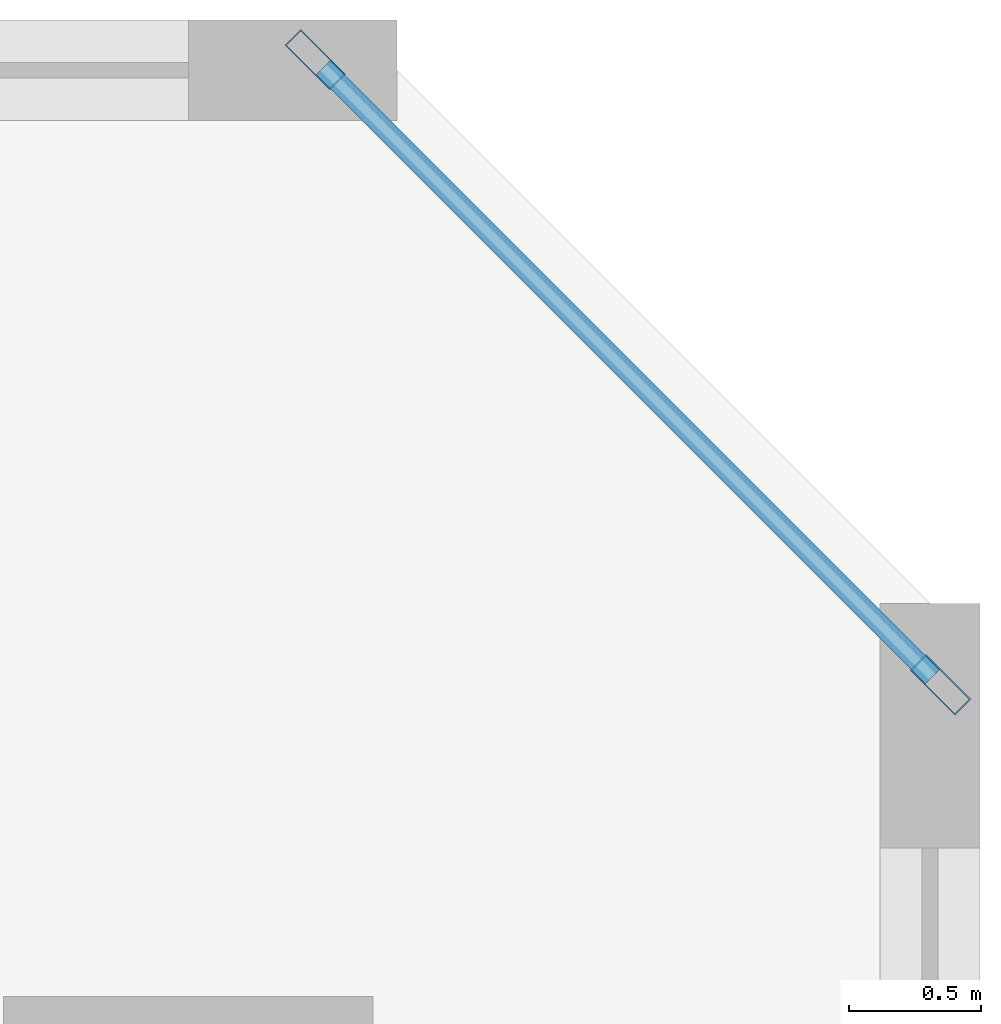
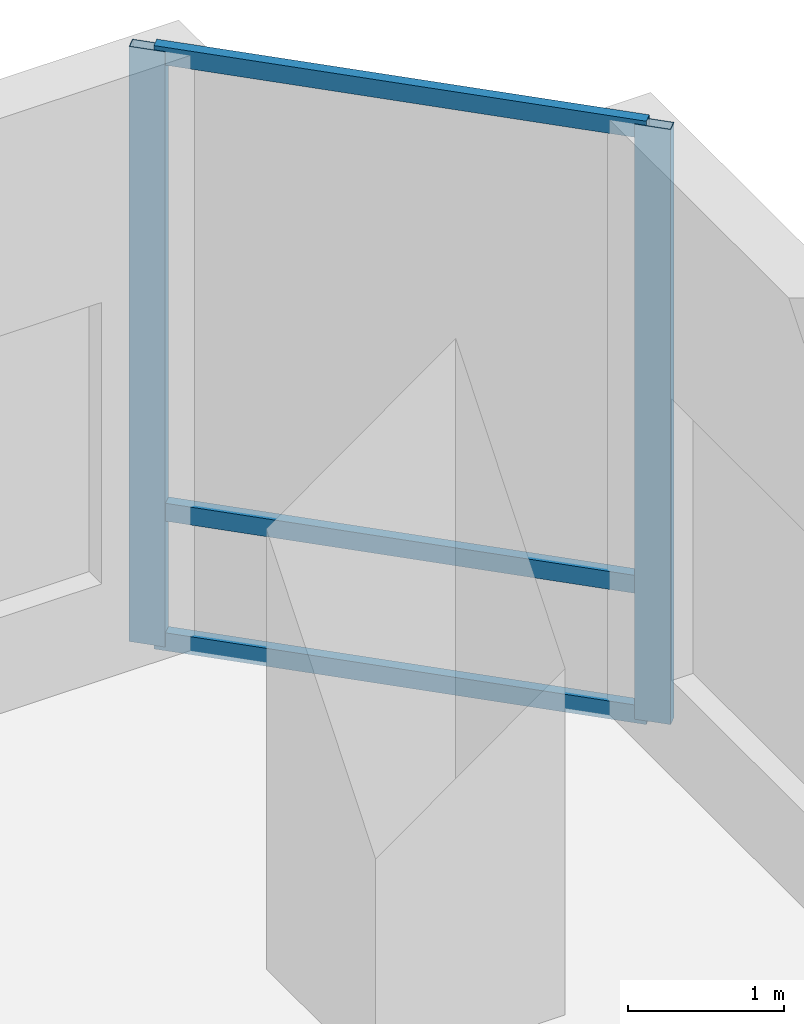
# One storey, part 8 of 19: 5 members, 1 element without a shape of its own.
"""IFC4 building model written with IfcOpenShell, lengths in metres."""

from ifc_helpers import new_model, si_unit, direction, frame, origin, origin_2d, place, context, subcontext, project, spatial, hollow_rectangle, extrude, material, layer, layer_set, material_profile, profile_set, type_object, element, aggregate, save


model = new_model("IFC4")

# Units and contexts
model_context = context("Model", 3, precision=1e-05, world=origin(), true_north=direction((0.0, 1.0)))
body_context = subcontext(model_context, "Body", "Model", "MODEL_VIEW")
ifc_project = project(units=[si_unit("LENGTHUNIT", "METRE"), si_unit("AREAUNIT", "SQUARE_METRE"), si_unit("VOLUMEUNIT", "CUBIC_METRE"), si_unit("PLANEANGLEUNIT", "RADIAN"), si_unit("MASSUNIT", "GRAM", prefix="KILO")], contexts=[model_context])

# Site, building, storey
site_placement = place(None, origin())
site = spatial("IfcSite", under=ifc_project, at=site_placement, CompositionType="ELEMENT")
building_placement = place(site_placement, origin())
building = spatial("IfcBuilding", under=site, at=building_placement, Name="Kestravale Grand Hotel", CompositionType="ELEMENT")
storey_placement = place(building_placement, frame((0.0, 0.0, 5.39990234375)))
storey = spatial("IfcBuildingStorey", under=building, at=storey_placement, Name="L01", CompositionType="ELEMENT", Elevation=5.39990234375)

# Curtain wall, members
ifc_material_1 = material(Name="Thermally broken champagne-bronze aluminium and low-E glazing", Category="aluminium")
ifc_layer = layer(ifc_material_1, 0.239990234375)
ifc_layer_set = layer_set([ifc_layer], Name="CW-POD")
curtain_wall_type = type_object("IfcCurtainWallType", Name="CW-POD", PredefinedType="NOTDEFINED", material=ifc_layer_set)
curtain_wall_placement = place(storey_placement, origin())
curtain_wall = element("IfcCurtainWall", 1, at=curtain_wall_placement, inside=storey, type_object=curtain_wall_type, Name="L01 unitised curtain wall 4", PredefinedType="NOTDEFINED")
ifc_material_2 = material(Name="Aluminium 6063-T6 anodised", Category="aluminium")
ifc_material_profile_1 = material_profile(ifc_material_2, hollow_rectangle(XDim=0.0849609375, YDim=0.239990234375, WallThickness=0.00439453125, at=origin_2d()))
ifc_profile_set_1 = profile_set([ifc_material_profile_1], Name="Aluminium 6063-T6 anodised")
member_type_1 = type_object("IfcMemberType", Name="CW-MUL-240", PredefinedType="MULLION", material=ifc_profile_set_1)
member_1_placement = place(storey_placement, frame((80.849853515625, 49.08154296875, 0.0), z_axis=(0.0, 0.0, 1.0), x_axis=(-0.707106781187, -0.707106781187, 0.0)))
member_1 = element("IfcMember", 2, at=member_1_placement, type_object=member_type_1, Name="CW-POD mullion 1", PredefinedType="MULLION", context=body_context, shape_type="SweptSolid", body=[
    extrude(hollow_rectangle(XDim=0.0849609375, YDim=0.239990234375, WallThickness=0.00439453125, at=origin_2d()), origin(), (0.0, 0.0, 1.0), 4.650146484375),
])
member_2_placement = place(storey_placement, frame((78.4814453125, 51.44970703125, 0.0), z_axis=(0.0, 0.0, 1.0), x_axis=(-0.707106781187, -0.707106781187, 0.0)))
member_2 = element("IfcMember", 3, at=member_2_placement, type_object=member_type_1, Name="CW-POD mullion 2", PredefinedType="MULLION", context=body_context, shape_type="SweptSolid", body=[
    extrude(hollow_rectangle(XDim=0.0849609375, YDim=0.239990234375, WallThickness=0.00439453125, at=origin_2d()), origin(), (0.0, 0.0, 1.0), 4.650146484375),
])
ifc_material_3 = material(Name="Aluminium 6063-T6 anodised", Category="aluminium")
ifc_material_profile_2 = material_profile(ifc_material_3, hollow_rectangle(XDim=0.074951171875, YDim=0.139892578125, WallThickness=0.00341796875, at=origin_2d()))
ifc_profile_set_2 = profile_set([ifc_material_profile_2], Name="Aluminium 6063-T6 anodised")
member_type_2 = type_object("IfcMemberType", Name="CW-TRN-140", PredefinedType="USERDEFINED", material=ifc_profile_set_2)
member_3_placement = place(storey_placement, frame((80.819580078125, 49.111572265625, 0.03759765625), z_axis=(-0.707069380992, 0.707144179403, 0.0), x_axis=(-0.707144179403, -0.707069380992, 0.0)))
member_3 = element("IfcMember", 4, at=member_3_placement, type_object=member_type_2, Name="CW-POD transom 1.1", ObjectType="TRANSOM", PredefinedType="USERDEFINED", context=body_context, shape_type="SweptSolid", body=[
    extrude(hollow_rectangle(XDim=0.074951171875, YDim=0.139892578125, WallThickness=0.00341796875, at=origin_2d()), origin(), (0.0, 0.0, 1.0), 3.263916015625),
])
member_4_placement = place(storey_placement, frame((80.819580078125, 49.111572265625, 1.050048828125), z_axis=(-0.707069380992, 0.707144179403, 0.0), x_axis=(-0.707144179403, -0.707069380992, 0.0)))
member_4 = element("IfcMember", 5, at=member_4_placement, type_object=member_type_2, Name="CW-POD transom 1.2", ObjectType="TRANSOM", PredefinedType="USERDEFINED", context=body_context, shape_type="SweptSolid", body=[
    extrude(hollow_rectangle(XDim=0.074951171875, YDim=0.139892578125, WallThickness=0.00341796875, at=origin_2d()), origin(), (0.0, 0.0, 1.0), 3.263916015625),
])
member_5_placement = place(storey_placement, frame((80.819580078125, 49.111572265625, 4.612548828125), z_axis=(-0.707069380992, 0.707144179403, 0.0), x_axis=(-0.707144179403, -0.707069380992, 0.0)))
member_5 = element("IfcMember", 6, at=member_5_placement, type_object=member_type_2, Name="CW-POD transom 1.3", ObjectType="TRANSOM", PredefinedType="USERDEFINED", context=body_context, shape_type="SweptSolid", body=[
    extrude(hollow_rectangle(XDim=0.074951171875, YDim=0.139892578125, WallThickness=0.00341796875, at=origin_2d()), origin(), (0.0, 0.0, 1.0), 3.263916015625),
])
aggregate(curtain_wall, [member_1, member_2, member_3, member_4, member_5])

save(model, "model.ifc")
